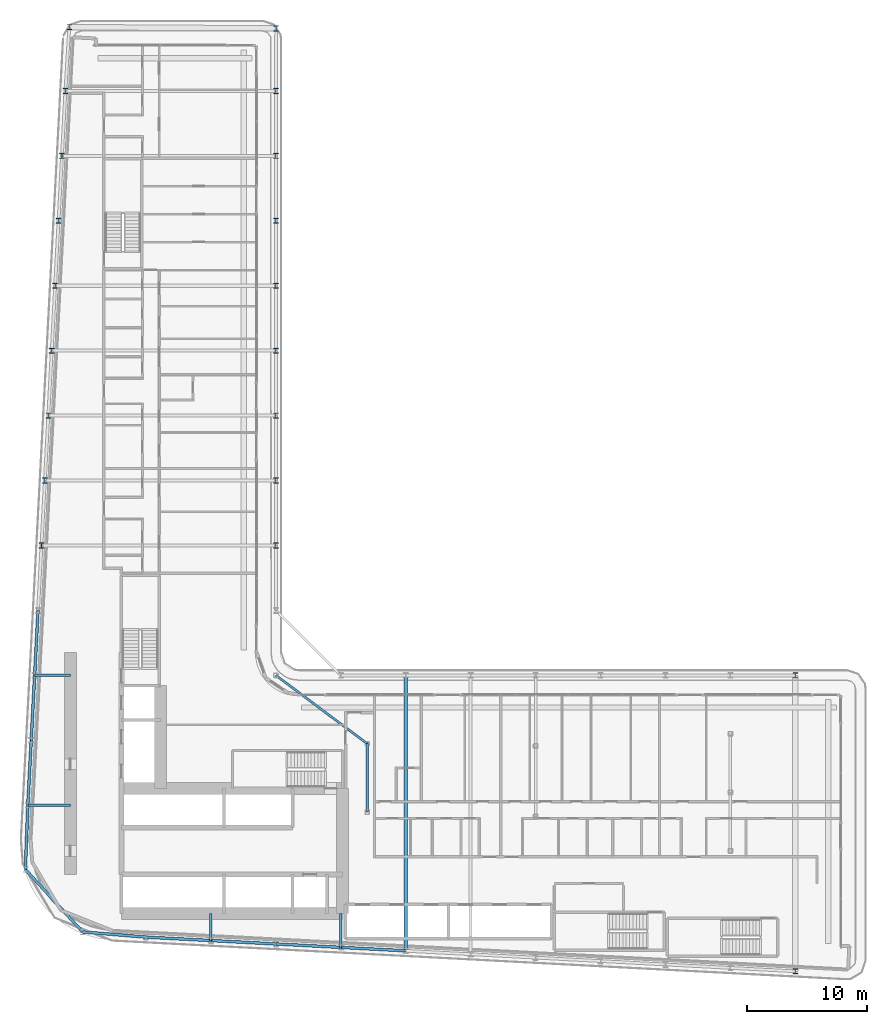
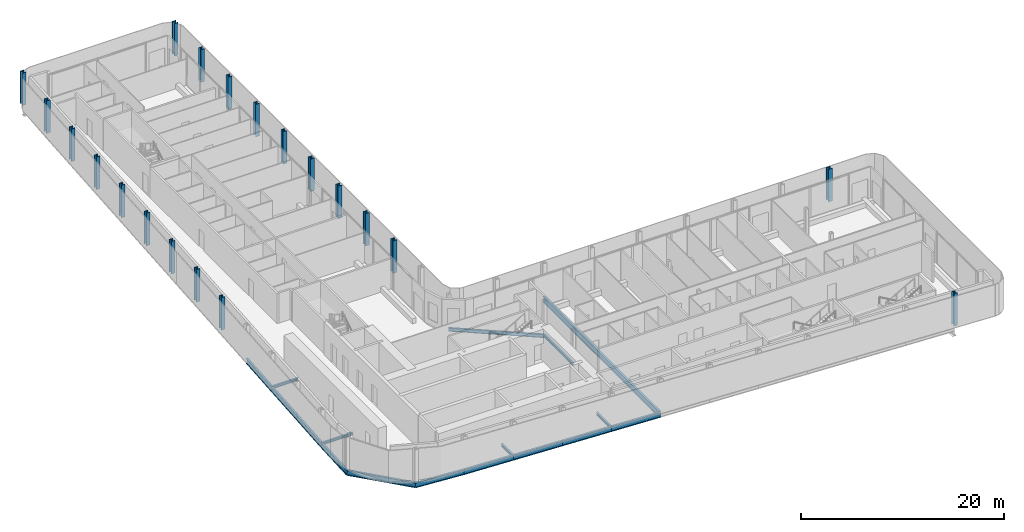
# One storey, part 3 of 28: 20 columns, 17 beams.
"""IFC4 building model written with IfcOpenShell, lengths in metres."""

from ifc_helpers import new_model, si_unit, direction, frame, origin, origin_2d, place, context, subcontext, project, spatial, i_section, extrude, material, material_profile, profile_set, type_object, element, save


model = new_model("IFC4")

# Units and contexts
model_context = context("Model", 3, precision=1e-05, world=origin(), true_north=direction((0.0, 1.0)))
body_context = subcontext(model_context, "Body", "Model", "MODEL_VIEW")
ifc_project = project(units=[si_unit("LENGTHUNIT", "METRE"), si_unit("AREAUNIT", "SQUARE_METRE"), si_unit("VOLUMEUNIT", "CUBIC_METRE"), si_unit("PLANEANGLEUNIT", "RADIAN"), si_unit("MASSUNIT", "GRAM", prefix="KILO")], contexts=[model_context])

# Site, building, storey
site_placement = place(None, origin())
site = spatial("IfcSite", under=ifc_project, at=site_placement, CompositionType="ELEMENT")
building_placement = place(site_placement, origin())
building = spatial("IfcBuilding", under=site, at=building_placement, Name="Kheshtan School and Residences Tower", CompositionType="ELEMENT")
storey_placement = place(building_placement, frame((0.0, 0.0, 42.199951171875)))
storey = spatial("IfcBuildingStorey", under=building, at=storey_placement, Name="L09", CompositionType="ELEMENT", Elevation=42.199951171875)

# Columns
ifc_material = material(Name="Steel ASTM A992 Grade 50", Category="steel")
ifc_material_profile_1 = material_profile(ifc_material, i_section(OverallWidth=0.424072265625, OverallDepth=0.47412109375, WebThickness=0.047607421875, FlangeThickness=0.0771484375, FilletRadius=0.01416015625, at=origin_2d()), Name="W360x634")
ifc_profile_set_1 = profile_set([ifc_material_profile_1], Name="Steel ASTM A992 Grade 50")
column_type = type_object("IfcColumnType", Name="Column C1 W360x634 ASTM A992 Grade 50", PredefinedType="COLUMN", material=ifc_profile_set_1)
for number, where, z_axis, x_axis, name in (
    (1, (90.800048828125, 20.989990234375, 0.0), (0.0, 0.0, 1.0), (1.0, 0.0, 0.0), "Column C006"),
    (2, (90.800048828125, 45.60009765625, 0.0), (0.0, 0.0, 1.0), (1.0, 0.0, 0.0), "Column C068"),
    (3, (28.10595703125, 56.39990234375, 0.0), (0.0, 0.0, 1.0), (1.0, 0.0, 0.0), "Column C080"),
    (4, (47.60009765625, 56.39990234375, 0.0), (0.0, 0.0, 1.0), (1.0, 0.0, 0.0), "Column C081"),
    (5, (28.389892578125, 61.800048828125, 0.0), (0.0, 0.0, 1.0), (1.0, 0.0, 0.0), "Column C082"),
    (6, (47.60009765625, 61.800048828125, 0.0), (0.0, 0.0, 1.0), (1.0, 0.0, 0.0), "Column C083"),
    (7, (28.674072265625, 67.199951171875, 0.0), (0.0, 0.0, 1.0), (1.0, 0.0, 0.0), "Column C084"),
    (8, (47.60009765625, 67.199951171875, 0.0), (0.0, 0.0, 1.0), (1.0, 0.0, 0.0), "Column C085"),
    (9, (28.9580078125, 72.60009765625, 0.0), (0.0, 0.0, 1.0), (1.0, 0.0, 0.0), "Column C086"),
    (10, (47.60009765625, 72.60009765625, 0.0), (0.0, 0.0, 1.0), (1.0, 0.0, 0.0), "Column C087"),
    (11, (29.242919921875, 78.0, 0.0), (0.0, 0.0, 1.0), (1.0, 0.0, 0.0), "Column C088"),
    (12, (47.60009765625, 78.0, 0.0), (0.0, 0.0, 1.0), (1.0, 0.0, 0.0), "Column C089"),
    (13, (29.527099609375, 83.39990234375, 0.0), (0.0, 0.0, 1.0), (1.0, 0.0, 0.0), "Column C090"),
    (14, (47.60009765625, 83.39990234375, 0.0), (0.0, 0.0, 1.0), (1.0, 0.0, 0.0), "Column C091"),
    (15, (29.81103515625, 88.800048828125, 0.0), (0.0, 0.0, 1.0), (1.0, 0.0, 0.0), "Column C098"),
    (16, (47.60009765625, 88.800048828125, 0.0), (0.0, 0.0, 1.0), (1.0, 0.0, 0.0), "Column C099"),
    (17, (30.094970703125, 94.199951171875, 0.0), (0.0, 0.0, 1.0), (1.0, 0.0, 0.0), "Column C106"),
    (18, (47.60009765625, 94.199951171875, 0.0), (0.0, 0.0, 1.0), (1.0, 0.0, 0.0), "Column C107"),
    (19, (47.6220703125, 99.40087890625, 0.0), (0.0, 0.0, 1.0), (1.0, 0.0, 0.0), "Column C111"),
    (20, (30.4208984375, 99.509033203125, 0.0), (0.0, 0.0, 1.0), (1.0, 0.0, 0.0), "Column C120"),
):
    element("IfcColumn", number, at=place(storey_placement, frame(where, z_axis=z_axis, x_axis=x_axis)), inside=storey, type_object=column_type, Name=name, PredefinedType="COLUMN", context=body_context, shape_type="SweptSolid", body=[
        extrude(i_section(OverallWidth=0.424072265625, OverallDepth=0.47412109375, WebThickness=0.047607421875, FlangeThickness=0.0771484375, FilletRadius=0.01416015625, at=origin_2d()), origin(), (0.0, 0.0, 1.0), 3.900146484375),
    ])

# Beams
ifc_material_profile_2 = material_profile(ifc_material, i_section(OverallWidth=0.202880859375, OverallDepth=0.302978515625, WebThickness=0.007568359375, FlangeThickness=0.01318359375, FilletRadius=0.009033203125, at=origin_2d()), Name="W310x60")
ifc_profile_set_2 = profile_set([ifc_material_profile_2], Name="Steel ASTM A992 Grade 50")
beam_type_1 = type_object("IfcBeamType", Name="Beam FB1 W310x60 ASTM A992 Grade 50", PredefinedType="BEAM", material=ifc_profile_set_2)
beam_1_placement = place(storey_placement, frame((53.0, 22.97998046875, -0.301513671875), z_axis=(0.0, 1.0, 0.0), x_axis=(-1.0, 0.0, 0.0)))
element("IfcBeam", 21, at=beam_1_placement, inside=storey, type_object=beam_type_1, Name="Floor beam C019", PredefinedType="BEAM", context=body_context, shape_type="SweptSolid", body=[
    extrude(i_section(OverallWidth=0.202880859375, OverallDepth=0.302978515625, WebThickness=0.007568359375, FlangeThickness=0.01318359375, FilletRadius=0.009033203125, at=origin_2d()), origin(), (0.0, 0.0, 1.0), 2.820068359375),
])
beam_2_placement = place(storey_placement, frame((42.199951171875, 23.548095703125, -0.301513671875), z_axis=(0.0, 1.0, 0.0), x_axis=(-1.0, 0.0, 0.0)))
element("IfcBeam", 22, at=beam_2_placement, inside=storey, type_object=beam_type_1, Name="Floor beam C021", PredefinedType="BEAM", context=body_context, shape_type="SweptSolid", body=[
    extrude(i_section(OverallWidth=0.202880859375, OverallDepth=0.302978515625, WebThickness=0.007568359375, FlangeThickness=0.01318359375, FilletRadius=0.009033203125, at=origin_2d()), origin(), (0.0, 0.0, 1.0), 2.251953125),
])
beam_3_placement = place(storey_placement, frame((26.968994140625, 34.800048828125, -0.301513671875), z_axis=(1.0, 0.0, 0.0), x_axis=(0.0, 1.0, 0.0)))
element("IfcBeam", 23, at=beam_3_placement, inside=storey, type_object=beam_type_1, Name="Floor beam C052", PredefinedType="BEAM", context=body_context, shape_type="SweptSolid", body=[
    extrude(i_section(OverallWidth=0.202880859375, OverallDepth=0.302978515625, WebThickness=0.007568359375, FlangeThickness=0.01318359375, FilletRadius=0.009033203125, at=origin_2d()), origin(), (0.0, 0.0, 1.0), 3.531005859375),
])
beam_4_placement = place(storey_placement, frame((27.537109375, 45.60009765625, -0.301513671875), z_axis=(1.0, 0.0, 0.0), x_axis=(0.0, 1.0, 0.0)))
element("IfcBeam", 24, at=beam_4_placement, inside=storey, type_object=beam_type_1, Name="Floor beam C059", PredefinedType="BEAM", context=body_context, shape_type="SweptSolid", body=[
    extrude(i_section(OverallWidth=0.202880859375, OverallDepth=0.302978515625, WebThickness=0.007568359375, FlangeThickness=0.01318359375, FilletRadius=0.009033203125, at=origin_2d()), origin(), (0.0, 0.0, 1.0), 2.962890625),
])
beam_5_placement = place(storey_placement, frame((55.199951171875, 34.23193359375, -0.301513671875), z_axis=(0.0, 1.0, 0.0), x_axis=(-1.0, 0.0, 0.0)))
element("IfcBeam", 25, at=beam_5_placement, inside=storey, type_object=beam_type_1, Name="Floor beam IC", PredefinedType="BEAM", context=body_context, shape_type="SweptSolid", body=[
    extrude(i_section(OverallWidth=0.202880859375, OverallDepth=0.302978515625, WebThickness=0.007568359375, FlangeThickness=0.01318359375, FilletRadius=0.009033203125, at=origin_2d()), origin(), (0.0, 0.0, 1.0), 5.68408203125),
])
ifc_material_profile_3 = material_profile(ifc_material, i_section(OverallWidth=0.180908203125, OverallDepth=0.4169921875, WebThickness=0.010986328125, FlangeThickness=0.018310546875, FilletRadius=0.012451171875, at=origin_2d()), Name="W410x85")
ifc_profile_set_3 = profile_set([ifc_material_profile_3], Name="Steel ASTM A992 Grade 50")
beam_type_2 = type_object("IfcBeamType", Name="Beam FB3 W410x85 ASTM A992 Grade 50", PredefinedType="BEAM", material=ifc_profile_set_3)
beam_6_placement = place(storey_placement, frame((47.60009765625, 45.60009765625, -0.3583984375), z_axis=(0.800798828004, -0.598933416222, 0.0), x_axis=(0.598933416222, 0.800798828004, 0.0)))
element("IfcBeam", 26, at=beam_6_placement, inside=storey, type_object=beam_type_2, Name="Floor beam IC", PredefinedType="BEAM", context=body_context, shape_type="SweptSolid", body=[
    extrude(i_section(OverallWidth=0.180908203125, OverallDepth=0.4169921875, WebThickness=0.010986328125, FlangeThickness=0.018310546875, FilletRadius=0.012451171875, at=origin_2d()), origin(), (0.0, 0.0, 1.0), 9.490234375),
])
ifc_material_profile_4 = material_profile(ifc_material, i_section(OverallWidth=0.2529296875, OverallDepth=0.677978515625, WebThickness=0.01171875, FlangeThickness=0.016357421875, FilletRadius=0.0146484375, at=origin_2d()), Name="W690x125")
ifc_profile_set_4 = profile_set([ifc_material_profile_4], Name="Steel ASTM A992 Grade 50")
beam_type_3 = type_object("IfcBeamType", Name="Beam FB6 W690x125 ASTM A992 Grade 50", PredefinedType="BEAM", material=ifc_profile_set_4)
beam_7_placement = place(storey_placement, frame((58.39990234375, 45.60009765625, -0.489013671875), z_axis=(0.0, -1.0, 0.0), x_axis=(1.0, 0.0, 0.0)))
element("IfcBeam", 27, at=beam_7_placement, inside=storey, type_object=beam_type_3, Name="Floor beam C062", PredefinedType="BEAM", context=body_context, shape_type="SweptSolid", body=[
    extrude(i_section(OverallWidth=0.2529296875, OverallDepth=0.677978515625, WebThickness=0.01171875, FlangeThickness=0.016357421875, FilletRadius=0.0146484375, at=origin_2d()), origin(), (0.0, 0.0, 1.0), 22.905029296875),
])
ifc_material_profile_5 = material_profile(ifc_material, i_section(OverallWidth=0.22998046875, OverallDepth=0.616943359375, WebThickness=0.01318359375, FlangeThickness=0.022216796875, FilletRadius=0.0185546875, at=origin_2d()), Name="W610x140")
ifc_profile_set_5 = profile_set([ifc_material_profile_5], Name="Steel ASTM A992 Grade 50")
beam_type_4 = type_object("IfcBeamType", Name="Beam SP1 W610x140 ASTM A992 Grade 50", PredefinedType="BEAM", material=ifc_profile_set_5)
for number, where, z_axis, x_axis, name in (
    (28, (58.39990234375, 22.695068359375, -0.45849609375), (-0.998610961136, 0.052689166816, 0.0), (-0.052689166816, -0.998610961136, 0.0), "Spandrel beam C018-C019"),
    (29, (53.0, 22.97998046875, -0.45849609375), (-0.998620447272, 0.05250906864, 0.0), (-0.05250906864, -0.998620447272, 0.0), "Spandrel beam C019-C020"),
):
    element("IfcBeam", number, at=place(storey_placement, frame(where, z_axis=z_axis, x_axis=x_axis)), inside=storey, type_object=beam_type_4, Name=name, PredefinedType="BEAM", context=body_context, shape_type="SweptSolid", body=[
        extrude(i_section(OverallWidth=0.22998046875, OverallDepth=0.616943359375, WebThickness=0.01318359375, FlangeThickness=0.022216796875, FilletRadius=0.0185546875, at=origin_2d()), origin(), (0.0, 0.0, 1.0), 5.407470703125),
    ])
beam_8_placement = place(storey_placement, frame((47.60009765625, 23.263916015625, -0.45849609375), z_axis=(-0.998618203458, 0.052551724256, 0.0), x_axis=(-0.052551724256, -0.998618203458, 0.0)))
element("IfcBeam", 30, at=beam_8_placement, inside=storey, type_object=beam_type_4, Name="Spandrel beam C020-C021", PredefinedType="BEAM", context=body_context, shape_type="SweptSolid", body=[
    extrude(i_section(OverallWidth=0.22998046875, OverallDepth=0.616943359375, WebThickness=0.01318359375, FlangeThickness=0.022216796875, FilletRadius=0.0185546875, at=origin_2d()), origin(), (0.0, 0.0, 1.0), 5.40771484375),
])
beam_9_placement = place(storey_placement, frame((42.199951171875, 23.548095703125, -0.45849609375), z_axis=(-0.998620447272, 0.05250906864, 0.0), x_axis=(-0.05250906864, -0.998620447272, 0.0)))
element("IfcBeam", 31, at=beam_9_placement, inside=storey, type_object=beam_type_4, Name="Spandrel beam C021-C022", PredefinedType="BEAM", context=body_context, shape_type="SweptSolid", body=[
    extrude(i_section(OverallWidth=0.22998046875, OverallDepth=0.616943359375, WebThickness=0.01318359375, FlangeThickness=0.022216796875, FilletRadius=0.0185546875, at=origin_2d()), origin(), (0.0, 0.0, 1.0), 5.407470703125),
])
beam_10_placement = place(storey_placement, frame((36.800048828125, 23.83203125, -0.45849609375), z_axis=(-0.996622413395, 0.082120430578, 0.0), x_axis=(-0.082120430578, -0.996622413395, 0.0)))
element("IfcBeam", 32, at=beam_10_placement, inside=storey, type_object=beam_type_4, Name="Spandrel beam C022-C026", PredefinedType="BEAM", context=body_context, shape_type="SweptSolid", body=[
    extrude(i_section(OverallWidth=0.22998046875, OverallDepth=0.616943359375, WebThickness=0.01318359375, FlangeThickness=0.022216796875, FilletRadius=0.0185546875, at=origin_2d()), origin(), (0.0, 0.0, 1.0), 5.285888671875),
])
beam_11_placement = place(storey_placement, frame((31.531982421875, 24.26611328125, -0.45849609375), z_axis=(-0.676166826568, 0.736748547775, 0.0), x_axis=(-0.736748547775, -0.676166826568, 0.0)))
element("IfcBeam", 33, at=beam_11_placement, inside=storey, type_object=beam_type_4, Name="Spandrel beam C026-C039", PredefinedType="BEAM", context=body_context, shape_type="SweptSolid", body=[
    extrude(i_section(OverallWidth=0.22998046875, OverallDepth=0.616943359375, WebThickness=0.01318359375, FlangeThickness=0.022216796875, FilletRadius=0.0185546875, at=origin_2d()), origin(), (0.0, 0.0, 1.0), 7.04833984375),
])
beam_12_placement = place(storey_placement, frame((26.76611328125, 29.458984375, -0.45849609375), z_axis=(0.037957724389, 0.999279345908, 0.0), x_axis=(-0.999279345908, 0.037957724389, 0.0)))
element("IfcBeam", 34, at=beam_12_placement, inside=storey, type_object=beam_type_4, Name="Spandrel beam C039-C052", PredefinedType="BEAM", context=body_context, shape_type="SweptSolid", body=[
    extrude(i_section(OverallWidth=0.22998046875, OverallDepth=0.616943359375, WebThickness=0.01318359375, FlangeThickness=0.022216796875, FilletRadius=0.0185546875, at=origin_2d()), origin(), (0.0, 0.0, 1.0), 5.344970703125),
])
beam_13_placement = place(storey_placement, frame((26.968994140625, 34.800048828125, -0.45849609375), z_axis=(0.05250906864, 0.998620447272, 0.0), x_axis=(-0.998620447272, 0.05250906864, 0.0)))
element("IfcBeam", 35, at=beam_13_placement, inside=storey, type_object=beam_type_4, Name="Spandrel beam C052-C056", PredefinedType="BEAM", context=body_context, shape_type="SweptSolid", body=[
    extrude(i_section(OverallWidth=0.22998046875, OverallDepth=0.616943359375, WebThickness=0.01318359375, FlangeThickness=0.022216796875, FilletRadius=0.0185546875, at=origin_2d()), origin(), (0.0, 0.0, 1.0), 5.407470703125),
])
beam_14_placement = place(storey_placement, frame((27.2529296875, 40.199951171875, -0.45849609375), z_axis=(0.052551724256, 0.998618203458, 0.0), x_axis=(-0.998618203458, 0.052551724256, 0.0)))
element("IfcBeam", 36, at=beam_14_placement, inside=storey, type_object=beam_type_4, Name="Spandrel beam C056-C059", PredefinedType="BEAM", context=body_context, shape_type="SweptSolid", body=[
    extrude(i_section(OverallWidth=0.22998046875, OverallDepth=0.616943359375, WebThickness=0.01318359375, FlangeThickness=0.022216796875, FilletRadius=0.0185546875, at=origin_2d()), origin(), (0.0, 0.0, 1.0), 5.40771484375),
])
beam_15_placement = place(storey_placement, frame((27.537109375, 45.60009765625, -0.45849609375), z_axis=(0.052689166816, 0.998610961136, 0.0), x_axis=(-0.998610961136, 0.052689166816, 0.0)))
element("IfcBeam", 37, at=beam_15_placement, inside=storey, type_object=beam_type_4, Name="Spandrel beam C059-C078", PredefinedType="BEAM", context=body_context, shape_type="SweptSolid", body=[
    extrude(i_section(OverallWidth=0.22998046875, OverallDepth=0.616943359375, WebThickness=0.01318359375, FlangeThickness=0.022216796875, FilletRadius=0.0185546875, at=origin_2d()), origin(), (0.0, 0.0, 1.0), 5.407470703125),
])

save(model, "model.ifc")
